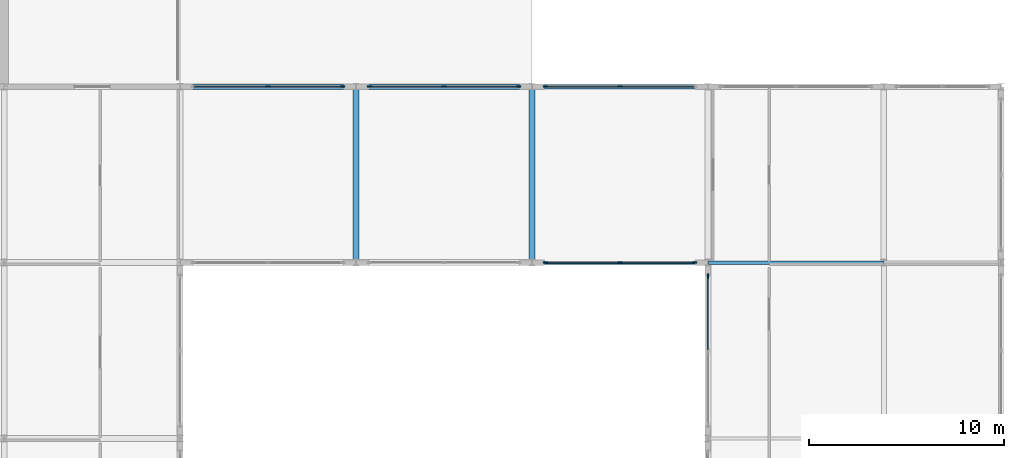
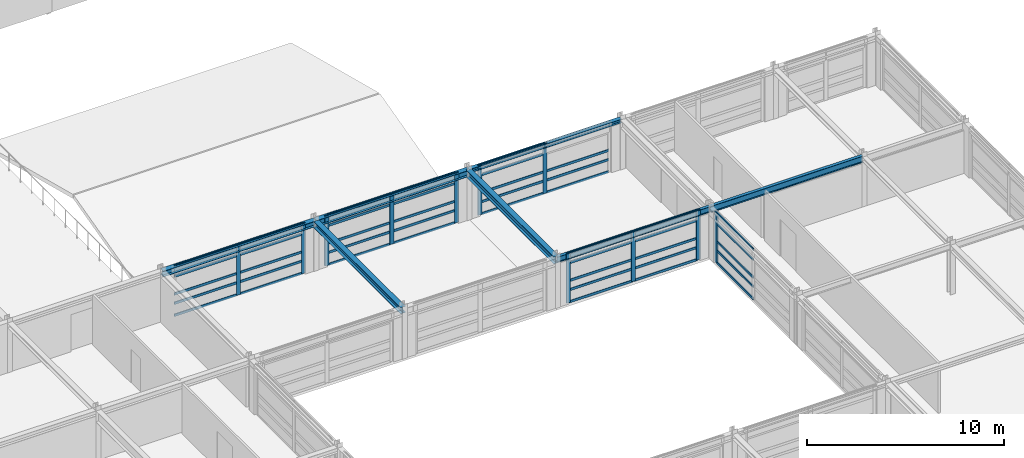
# One storey, part 53 of 91: 54 members, 7 beams, 5 elements without a shape of their own.
"""IFC4 building model written with IfcOpenShell, lengths in metres."""

from ifc_helpers import new_model, si_unit, direction, frame, origin, origin_2d, place, context, subcontext, project, spatial, rectangle, i_section, extrude, material, material_profile, profile_set, type_object, element, aggregate, save


model = new_model("IFC4")

# Units and contexts
model_context = context("Model", 3, precision=1e-05, world=origin(), true_north=direction((0.0, 1.0)))
body_context = subcontext(model_context, "Body", "Model", "MODEL_VIEW")
ifc_project = project(units=[si_unit("LENGTHUNIT", "METRE"), si_unit("AREAUNIT", "SQUARE_METRE"), si_unit("VOLUMEUNIT", "CUBIC_METRE"), si_unit("PLANEANGLEUNIT", "RADIAN"), si_unit("MASSUNIT", "GRAM", prefix="KILO")], contexts=[model_context])

# Site, building, storey
site_placement = place(None, origin())
site = spatial("IfcSite", under=ifc_project, at=site_placement, CompositionType="ELEMENT")
building_placement = place(site_placement, origin())
building = spatial("IfcBuilding", under=site, at=building_placement, Name="Palais des Congres Ocreval", CompositionType="ELEMENT")
storey_placement = place(building_placement, frame((0.0, 0.0, 8.159912109375)))
storey = spatial("IfcBuildingStorey", under=building, at=storey_placement, Name="L02", CompositionType="ELEMENT", Elevation=8.159912109375)

# Beams
ifc_material_1 = material(Name="Steel S355", Category="steel")
ifc_material_profile_1 = material_profile(ifc_material_1, i_section(OverallWidth=0.169921875, OverallDepth=0.360107421875, WebThickness=0.008056640625, FlangeThickness=0.0126953125, at=origin_2d()), Name="IPE 360")
ifc_profile_set_1 = profile_set([ifc_material_profile_1], Name="Steel S355")
beam_type_1 = type_object("IfcBeamType", Name="Composite Beam IPE 360 Steel S355", PredefinedType="BEAM", material=ifc_profile_set_1)
beam_1_placement = place(storey_placement, frame((144.02001953125, 36.0, 2.920166015625), z_axis=(1.0, 0.0, 0.0), x_axis=(0.0, 1.0, 0.0)))
element("IfcBeam", 1, at=beam_1_placement, inside=storey, type_object=beam_type_1, Name="Beam B01 L02", PredefinedType="BEAM", context=body_context, shape_type="SweptSolid", body=[
    extrude(i_section(OverallWidth=0.169921875, OverallDepth=0.360107421875, WebThickness=0.008056640625, FlangeThickness=0.0126953125, at=origin_2d()), origin(), (0.0, 0.0, 1.0), 8.9599609375),
])
ifc_material_profile_2 = material_profile(ifc_material_1, i_section(OverallWidth=0.179931640625, OverallDepth=0.39990234375, WebThickness=0.008544921875, FlangeThickness=0.013427734375, at=origin_2d()), Name="IPE 400")
ifc_profile_set_2 = profile_set([ifc_material_profile_2], Name="Steel S355")
beam_type_2 = type_object("IfcBeamType", Name="Composite Beam IPE 400 Steel S355", PredefinedType="BEAM", material=ifc_profile_set_2)
beam_2_placement = place(storey_placement, frame((153.02001953125, 36.0, 2.900146484375), z_axis=(1.0, 0.0, 0.0), x_axis=(0.0, 1.0, 0.0)))
element("IfcBeam", 2, at=beam_2_placement, inside=storey, type_object=beam_type_2, Name="Beam B02 L02", PredefinedType="BEAM", context=body_context, shape_type="SweptSolid", body=[
    extrude(i_section(OverallWidth=0.179931640625, OverallDepth=0.39990234375, WebThickness=0.008544921875, FlangeThickness=0.013427734375, at=origin_2d()), origin(), (0.0, 0.0, 1.0), 8.9599609375),
])

# Curtain wall, members
ifc_material_2 = material(Name="Anodized bronze aluminium and low-E glass", Category="glass")
curtain_wall_type = type_object("IfcCurtainWallType", Name="Unitised Curtain Wall 7900x3120", PredefinedType="USERDEFINED", material=ifc_material_2)
curtain_wall_1_placement = place(storey_placement, origin())
curtain_wall_1 = element("IfcCurtainWall", 3, at=curtain_wall_1_placement, inside=storey, type_object=curtain_wall_type, Name="Unitised Curtain Wall CW03 L02", ObjectType="UNITISED CURTAIN WALL", PredefinedType="USERDEFINED")
ifc_material_3 = material(Name="Anodized bronze aluminium", Category="aluminium")
ifc_material_profile_3 = material_profile(ifc_material_3, rectangle(XDim=0.074951171875, YDim=0.239990234375, at=origin_2d()), Name="ALU 75x240")
ifc_profile_set_3 = profile_set([ifc_material_profile_3], Name="Anodized bronze aluminium")
member_type_1 = type_object("IfcMemberType", Name="Curtain Wall Mullion ALU 75x240", PredefinedType="MULLION", material=ifc_profile_set_3)
member_1_placement = place(storey_placement, frame((130.5, 45.0, 0.0), z_axis=(0.0, 0.0, 1.0), x_axis=(0.0, 1.0, 0.0)))
member_1 = element("IfcMember", 4, at=member_1_placement, type_object=member_type_1, Name="Curtain Wall Mullion ML01", PredefinedType="MULLION", context=body_context, shape_type="SweptSolid", body=[
    extrude(rectangle(XDim=0.074951171875, YDim=0.239990234375, at=origin_2d()), origin(), (0.0, 0.0, 1.0), 3.110107421875),
])
member_2_placement = place(storey_placement, frame((134.3125, 45.0, 0.0), z_axis=(0.0, 0.0, 1.0), x_axis=(0.0, 1.0, 0.0)))
member_2 = element("IfcMember", 5, at=member_2_placement, type_object=member_type_1, Name="Curtain Wall Mullion ML01", PredefinedType="MULLION", context=body_context, shape_type="SweptSolid", body=[
    extrude(rectangle(XDim=0.074951171875, YDim=0.239990234375, at=origin_2d()), origin(), (0.0, 0.0, 1.0), 3.110107421875),
])

curtain_wall_2_placement = place(storey_placement, origin())
curtain_wall_2 = element("IfcCurtainWall", 6, at=curtain_wall_2_placement, inside=storey, type_object=curtain_wall_type, Name="Unitised Curtain Wall CW03 L02", ObjectType="UNITISED CURTAIN WALL", PredefinedType="USERDEFINED")
member_3_placement = place(storey_placement, frame((135.6875, 45.0, 0.0), z_axis=(0.0, 0.0, 1.0), x_axis=(0.0, 1.0, 0.0)))
member_3 = element("IfcMember", 7, at=member_3_placement, type_object=member_type_1, Name="Curtain Wall Mullion ML01", PredefinedType="MULLION", context=body_context, shape_type="SweptSolid", body=[
    extrude(rectangle(XDim=0.074951171875, YDim=0.239990234375, at=origin_2d()), origin(), (0.0, 0.0, 1.0), 3.110107421875),
])
member_4_placement = place(storey_placement, frame((139.5, 45.0, 0.0), z_axis=(0.0, 0.0, 1.0), x_axis=(0.0, 1.0, 0.0)))
member_4 = element("IfcMember", 8, at=member_4_placement, type_object=member_type_1, Name="Curtain Wall Mullion ML01", PredefinedType="MULLION", context=body_context, shape_type="SweptSolid", body=[
    extrude(rectangle(XDim=0.074951171875, YDim=0.239990234375, at=origin_2d()), origin(), (0.0, 0.0, 1.0), 3.110107421875),
])
member_5_placement = place(storey_placement, frame((143.3125, 45.0, 0.0), z_axis=(0.0, 0.0, 1.0), x_axis=(0.0, 1.0, 0.0)))
member_5 = element("IfcMember", 9, at=member_5_placement, type_object=member_type_1, Name="Curtain Wall Mullion ML01", PredefinedType="MULLION", context=body_context, shape_type="SweptSolid", body=[
    extrude(rectangle(XDim=0.074951171875, YDim=0.239990234375, at=origin_2d()), origin(), (0.0, 0.0, 1.0), 3.110107421875),
])

curtain_wall_3_placement = place(storey_placement, origin())
curtain_wall_3 = element("IfcCurtainWall", 10, at=curtain_wall_3_placement, inside=storey, type_object=curtain_wall_type, Name="Unitised Curtain Wall CW03 L02", ObjectType="UNITISED CURTAIN WALL", PredefinedType="USERDEFINED")
member_6_placement = place(storey_placement, frame((144.6875, 45.0, 0.0), z_axis=(0.0, 0.0, 1.0), x_axis=(0.0, 1.0, 0.0)))
member_6 = element("IfcMember", 11, at=member_6_placement, type_object=member_type_1, Name="Curtain Wall Mullion ML01", PredefinedType="MULLION", context=body_context, shape_type="SweptSolid", body=[
    extrude(rectangle(XDim=0.074951171875, YDim=0.239990234375, at=origin_2d()), origin(), (0.0, 0.0, 1.0), 3.110107421875),
])
member_7_placement = place(storey_placement, frame((148.5, 45.0, 0.0), z_axis=(0.0, 0.0, 1.0), x_axis=(0.0, 1.0, 0.0)))
member_7 = element("IfcMember", 12, at=member_7_placement, type_object=member_type_1, Name="Curtain Wall Mullion ML01", PredefinedType="MULLION", context=body_context, shape_type="SweptSolid", body=[
    extrude(rectangle(XDim=0.074951171875, YDim=0.239990234375, at=origin_2d()), origin(), (0.0, 0.0, 1.0), 3.110107421875),
])

curtain_wall_4_placement = place(storey_placement, origin())
curtain_wall_4 = element("IfcCurtainWall", 13, at=curtain_wall_4_placement, inside=storey, type_object=curtain_wall_type, Name="Unitised Curtain Wall CW03 L02", ObjectType="UNITISED CURTAIN WALL", PredefinedType="USERDEFINED")
member_8_placement = place(storey_placement, frame((152.3125, 36.0, 0.0), z_axis=(0.0, 0.0, 1.0), x_axis=(0.0, -1.0, 0.0)))
member_8 = element("IfcMember", 14, at=member_8_placement, type_object=member_type_1, Name="Curtain Wall Mullion ML01", PredefinedType="MULLION", context=body_context, shape_type="SweptSolid", body=[
    extrude(rectangle(XDim=0.074951171875, YDim=0.239990234375, at=origin_2d()), origin(), (0.0, 0.0, 1.0), 3.110107421875),
])
member_9_placement = place(storey_placement, frame((148.5, 36.0, 0.0), z_axis=(0.0, 0.0, 1.0), x_axis=(0.0, -1.0, 0.0)))
member_9 = element("IfcMember", 15, at=member_9_placement, type_object=member_type_1, Name="Curtain Wall Mullion ML01", PredefinedType="MULLION", context=body_context, shape_type="SweptSolid", body=[
    extrude(rectangle(XDim=0.074951171875, YDim=0.239990234375, at=origin_2d()), origin(), (0.0, 0.0, 1.0), 3.110107421875),
])
member_10_placement = place(storey_placement, frame((144.6875, 36.0, 0.0), z_axis=(0.0, 0.0, 1.0), x_axis=(0.0, -1.0, 0.0)))
member_10 = element("IfcMember", 16, at=member_10_placement, type_object=member_type_1, Name="Curtain Wall Mullion ML01", PredefinedType="MULLION", context=body_context, shape_type="SweptSolid", body=[
    extrude(rectangle(XDim=0.074951171875, YDim=0.239990234375, at=origin_2d()), origin(), (0.0, 0.0, 1.0), 3.110107421875),
])

# Curtain wall, member
curtain_wall_5_placement = place(storey_placement, origin())
curtain_wall_5 = element("IfcCurtainWall", 17, at=curtain_wall_5_placement, inside=storey, type_object=curtain_wall_type, Name="Unitised Curtain Wall CW03 L02", ObjectType="UNITISED CURTAIN WALL", PredefinedType="USERDEFINED")
member_11_placement = place(storey_placement, frame((153.0, 35.3125, 0.0), z_axis=(0.0, 0.0, 1.0), x_axis=(-1.0, 0.0, 0.0)))
member_11 = element("IfcMember", 18, at=member_11_placement, type_object=member_type_1, Name="Curtain Wall Mullion ML01", PredefinedType="MULLION", context=body_context, shape_type="SweptSolid", body=[
    extrude(rectangle(XDim=0.074951171875, YDim=0.239990234375, at=origin_2d()), origin(), (0.0, 0.0, 1.0), 3.110107421875),
])

# Member
ifc_material_profile_4 = material_profile(ifc_material_3, rectangle(XDim=0.06005859375, YDim=0.14990234375, at=origin_2d()), Name="ALU 60x150")
ifc_profile_set_4 = profile_set([ifc_material_profile_4], Name="Anodized bronze aluminium")
member_type_2 = type_object("IfcMemberType", Name="Curtain Wall Transom ALU 60x150", PredefinedType="USERDEFINED", material=ifc_profile_set_4)
member_12_placement = place(storey_placement, frame((126.72509765625, 45.0, 0.030029296875), z_axis=(1.0, 0.0, 0.0), x_axis=(0.0, 1.0, 0.0)))
member_12 = element("IfcMember", 19, at=member_12_placement, type_object=member_type_2, Name="Curtain Wall Transom TR01", ObjectType="TRANSOM", PredefinedType="USERDEFINED", context=body_context, shape_type="SweptSolid", body=[
    extrude(rectangle(XDim=0.06005859375, YDim=0.14990234375, at=origin_2d()), origin(), (0.0, 0.0, 1.0), 3.7373046875),
])

member_13_placement = place(storey_placement, frame((126.72509765625, 45.0, 0.780029296875), z_axis=(1.0, 0.0, 0.0), x_axis=(0.0, 1.0, 0.0)))
member_13 = element("IfcMember", 20, at=member_13_placement, type_object=member_type_2, Name="Curtain Wall Transom TR01", ObjectType="TRANSOM", PredefinedType="USERDEFINED", context=body_context, shape_type="SweptSolid", body=[
    extrude(rectangle(XDim=0.06005859375, YDim=0.14990234375, at=origin_2d()), origin(), (0.0, 0.0, 1.0), 3.7373046875),
])

member_14_placement = place(storey_placement, frame((126.72509765625, 45.0, 1.35302734375), z_axis=(1.0, 0.0, 0.0), x_axis=(0.0, 1.0, 0.0)))
member_14 = element("IfcMember", 21, at=member_14_placement, type_object=member_type_2, Name="Curtain Wall Transom TR01", ObjectType="TRANSOM", PredefinedType="USERDEFINED", context=body_context, shape_type="SweptSolid", body=[
    extrude(rectangle(XDim=0.06005859375, YDim=0.14990234375, at=origin_2d()), origin(), (0.0, 0.0, 1.0), 3.7373046875),
])

member_15_placement = place(storey_placement, frame((126.72509765625, 45.0, 2.460205078125), z_axis=(1.0, 0.0, 0.0), x_axis=(0.0, 1.0, 0.0)))
member_15 = element("IfcMember", 22, at=member_15_placement, type_object=member_type_2, Name="Curtain Wall Transom TR01", ObjectType="TRANSOM", PredefinedType="USERDEFINED", context=body_context, shape_type="SweptSolid", body=[
    extrude(rectangle(XDim=0.06005859375, YDim=0.14990234375, at=origin_2d()), origin(), (0.0, 0.0, 1.0), 3.7373046875),
])

member_16_placement = place(storey_placement, frame((126.72509765625, 45.0, 3.080078125), z_axis=(1.0, 0.0, 0.0), x_axis=(0.0, 1.0, 0.0)))
member_16 = element("IfcMember", 23, at=member_16_placement, type_object=member_type_2, Name="Curtain Wall Transom TR01", ObjectType="TRANSOM", PredefinedType="USERDEFINED", context=body_context, shape_type="SweptSolid", body=[
    extrude(rectangle(XDim=0.06005859375, YDim=0.14990234375, at=origin_2d()), origin(), (0.0, 0.0, 1.0), 3.7373046875),
])

member_17_placement = place(storey_placement, frame((130.53759765625, 45.0, 0.030029296875), z_axis=(1.0, 0.0, 0.0), x_axis=(0.0, 1.0, 0.0)))
member_17 = element("IfcMember", 24, at=member_17_placement, type_object=member_type_2, Name="Curtain Wall Transom TR01", ObjectType="TRANSOM", PredefinedType="USERDEFINED", context=body_context, shape_type="SweptSolid", body=[
    extrude(rectangle(XDim=0.06005859375, YDim=0.14990234375, at=origin_2d()), origin(), (0.0, 0.0, 1.0), 3.7373046875),
])

member_18_placement = place(storey_placement, frame((130.53759765625, 45.0, 0.780029296875), z_axis=(1.0, 0.0, 0.0), x_axis=(0.0, 1.0, 0.0)))
member_18 = element("IfcMember", 25, at=member_18_placement, type_object=member_type_2, Name="Curtain Wall Transom TR01", ObjectType="TRANSOM", PredefinedType="USERDEFINED", context=body_context, shape_type="SweptSolid", body=[
    extrude(rectangle(XDim=0.06005859375, YDim=0.14990234375, at=origin_2d()), origin(), (0.0, 0.0, 1.0), 3.7373046875),
])

member_19_placement = place(storey_placement, frame((130.53759765625, 45.0, 1.35302734375), z_axis=(1.0, 0.0, 0.0), x_axis=(0.0, 1.0, 0.0)))
member_19 = element("IfcMember", 26, at=member_19_placement, type_object=member_type_2, Name="Curtain Wall Transom TR01", ObjectType="TRANSOM", PredefinedType="USERDEFINED", context=body_context, shape_type="SweptSolid", body=[
    extrude(rectangle(XDim=0.06005859375, YDim=0.14990234375, at=origin_2d()), origin(), (0.0, 0.0, 1.0), 3.7373046875),
])

member_20_placement = place(storey_placement, frame((130.53759765625, 45.0, 2.460205078125), z_axis=(1.0, 0.0, 0.0), x_axis=(0.0, 1.0, 0.0)))
member_20 = element("IfcMember", 27, at=member_20_placement, type_object=member_type_2, Name="Curtain Wall Transom TR01", ObjectType="TRANSOM", PredefinedType="USERDEFINED", context=body_context, shape_type="SweptSolid", body=[
    extrude(rectangle(XDim=0.06005859375, YDim=0.14990234375, at=origin_2d()), origin(), (0.0, 0.0, 1.0), 3.7373046875),
])

member_21_placement = place(storey_placement, frame((130.53759765625, 45.0, 3.080078125), z_axis=(1.0, 0.0, 0.0), x_axis=(0.0, 1.0, 0.0)))
member_21 = element("IfcMember", 28, at=member_21_placement, type_object=member_type_2, Name="Curtain Wall Transom TR01", ObjectType="TRANSOM", PredefinedType="USERDEFINED", context=body_context, shape_type="SweptSolid", body=[
    extrude(rectangle(XDim=0.06005859375, YDim=0.14990234375, at=origin_2d()), origin(), (0.0, 0.0, 1.0), 3.7373046875),
])

aggregate(curtain_wall_1, [member_1, member_2, member_12, member_13, member_14, member_15, member_16, member_17, member_18, member_19, member_20, member_21])

member_22_placement = place(storey_placement, frame((135.72509765625, 45.0, 0.030029296875), z_axis=(1.0, 0.0, 0.0), x_axis=(0.0, 1.0, 0.0)))
member_22 = element("IfcMember", 29, at=member_22_placement, type_object=member_type_2, Name="Curtain Wall Transom TR01", ObjectType="TRANSOM", PredefinedType="USERDEFINED", context=body_context, shape_type="SweptSolid", body=[
    extrude(rectangle(XDim=0.06005859375, YDim=0.14990234375, at=origin_2d()), origin(), (0.0, 0.0, 1.0), 3.7373046875),
])

member_23_placement = place(storey_placement, frame((135.72509765625, 45.0, 0.780029296875), z_axis=(1.0, 0.0, 0.0), x_axis=(0.0, 1.0, 0.0)))
member_23 = element("IfcMember", 30, at=member_23_placement, type_object=member_type_2, Name="Curtain Wall Transom TR01", ObjectType="TRANSOM", PredefinedType="USERDEFINED", context=body_context, shape_type="SweptSolid", body=[
    extrude(rectangle(XDim=0.06005859375, YDim=0.14990234375, at=origin_2d()), origin(), (0.0, 0.0, 1.0), 3.7373046875),
])

member_24_placement = place(storey_placement, frame((135.72509765625, 45.0, 1.35302734375), z_axis=(1.0, 0.0, 0.0), x_axis=(0.0, 1.0, 0.0)))
member_24 = element("IfcMember", 31, at=member_24_placement, type_object=member_type_2, Name="Curtain Wall Transom TR01", ObjectType="TRANSOM", PredefinedType="USERDEFINED", context=body_context, shape_type="SweptSolid", body=[
    extrude(rectangle(XDim=0.06005859375, YDim=0.14990234375, at=origin_2d()), origin(), (0.0, 0.0, 1.0), 3.7373046875),
])

member_25_placement = place(storey_placement, frame((135.72509765625, 45.0, 2.460205078125), z_axis=(1.0, 0.0, 0.0), x_axis=(0.0, 1.0, 0.0)))
member_25 = element("IfcMember", 32, at=member_25_placement, type_object=member_type_2, Name="Curtain Wall Transom TR01", ObjectType="TRANSOM", PredefinedType="USERDEFINED", context=body_context, shape_type="SweptSolid", body=[
    extrude(rectangle(XDim=0.06005859375, YDim=0.14990234375, at=origin_2d()), origin(), (0.0, 0.0, 1.0), 3.7373046875),
])

member_26_placement = place(storey_placement, frame((135.72509765625, 45.0, 3.080078125), z_axis=(1.0, 0.0, 0.0), x_axis=(0.0, 1.0, 0.0)))
member_26 = element("IfcMember", 33, at=member_26_placement, type_object=member_type_2, Name="Curtain Wall Transom TR01", ObjectType="TRANSOM", PredefinedType="USERDEFINED", context=body_context, shape_type="SweptSolid", body=[
    extrude(rectangle(XDim=0.06005859375, YDim=0.14990234375, at=origin_2d()), origin(), (0.0, 0.0, 1.0), 3.7373046875),
])

member_27_placement = place(storey_placement, frame((139.53759765625, 45.0, 0.030029296875), z_axis=(1.0, 0.0, 0.0), x_axis=(0.0, 1.0, 0.0)))
member_27 = element("IfcMember", 34, at=member_27_placement, type_object=member_type_2, Name="Curtain Wall Transom TR01", ObjectType="TRANSOM", PredefinedType="USERDEFINED", context=body_context, shape_type="SweptSolid", body=[
    extrude(rectangle(XDim=0.06005859375, YDim=0.14990234375, at=origin_2d()), origin(), (0.0, 0.0, 1.0), 3.7373046875),
])

member_28_placement = place(storey_placement, frame((139.53759765625, 45.0, 0.780029296875), z_axis=(1.0, 0.0, 0.0), x_axis=(0.0, 1.0, 0.0)))
member_28 = element("IfcMember", 35, at=member_28_placement, type_object=member_type_2, Name="Curtain Wall Transom TR01", ObjectType="TRANSOM", PredefinedType="USERDEFINED", context=body_context, shape_type="SweptSolid", body=[
    extrude(rectangle(XDim=0.06005859375, YDim=0.14990234375, at=origin_2d()), origin(), (0.0, 0.0, 1.0), 3.7373046875),
])

member_29_placement = place(storey_placement, frame((139.53759765625, 45.0, 1.35302734375), z_axis=(1.0, 0.0, 0.0), x_axis=(0.0, 1.0, 0.0)))
member_29 = element("IfcMember", 36, at=member_29_placement, type_object=member_type_2, Name="Curtain Wall Transom TR01", ObjectType="TRANSOM", PredefinedType="USERDEFINED", context=body_context, shape_type="SweptSolid", body=[
    extrude(rectangle(XDim=0.06005859375, YDim=0.14990234375, at=origin_2d()), origin(), (0.0, 0.0, 1.0), 3.7373046875),
])

member_30_placement = place(storey_placement, frame((139.53759765625, 45.0, 2.460205078125), z_axis=(1.0, 0.0, 0.0), x_axis=(0.0, 1.0, 0.0)))
member_30 = element("IfcMember", 37, at=member_30_placement, type_object=member_type_2, Name="Curtain Wall Transom TR01", ObjectType="TRANSOM", PredefinedType="USERDEFINED", context=body_context, shape_type="SweptSolid", body=[
    extrude(rectangle(XDim=0.06005859375, YDim=0.14990234375, at=origin_2d()), origin(), (0.0, 0.0, 1.0), 3.7373046875),
])

member_31_placement = place(storey_placement, frame((139.53759765625, 45.0, 3.080078125), z_axis=(1.0, 0.0, 0.0), x_axis=(0.0, 1.0, 0.0)))
member_31 = element("IfcMember", 38, at=member_31_placement, type_object=member_type_2, Name="Curtain Wall Transom TR01", ObjectType="TRANSOM", PredefinedType="USERDEFINED", context=body_context, shape_type="SweptSolid", body=[
    extrude(rectangle(XDim=0.06005859375, YDim=0.14990234375, at=origin_2d()), origin(), (0.0, 0.0, 1.0), 3.7373046875),
])

aggregate(curtain_wall_2, [member_3, member_4, member_5, member_22, member_23, member_24, member_25, member_26, member_27, member_28, member_29, member_30, member_31])

member_32_placement = place(storey_placement, frame((144.72509765625, 45.0, 0.030029296875), z_axis=(1.0, 0.0, 0.0), x_axis=(0.0, 1.0, 0.0)))
member_32 = element("IfcMember", 39, at=member_32_placement, type_object=member_type_2, Name="Curtain Wall Transom TR01", ObjectType="TRANSOM", PredefinedType="USERDEFINED", context=body_context, shape_type="SweptSolid", body=[
    extrude(rectangle(XDim=0.06005859375, YDim=0.14990234375, at=origin_2d()), origin(), (0.0, 0.0, 1.0), 3.7373046875),
])

member_33_placement = place(storey_placement, frame((144.72509765625, 45.0, 0.780029296875), z_axis=(1.0, 0.0, 0.0), x_axis=(0.0, 1.0, 0.0)))
member_33 = element("IfcMember", 40, at=member_33_placement, type_object=member_type_2, Name="Curtain Wall Transom TR01", ObjectType="TRANSOM", PredefinedType="USERDEFINED", context=body_context, shape_type="SweptSolid", body=[
    extrude(rectangle(XDim=0.06005859375, YDim=0.14990234375, at=origin_2d()), origin(), (0.0, 0.0, 1.0), 3.7373046875),
])

member_34_placement = place(storey_placement, frame((144.72509765625, 45.0, 1.35302734375), z_axis=(1.0, 0.0, 0.0), x_axis=(0.0, 1.0, 0.0)))
member_34 = element("IfcMember", 41, at=member_34_placement, type_object=member_type_2, Name="Curtain Wall Transom TR01", ObjectType="TRANSOM", PredefinedType="USERDEFINED", context=body_context, shape_type="SweptSolid", body=[
    extrude(rectangle(XDim=0.06005859375, YDim=0.14990234375, at=origin_2d()), origin(), (0.0, 0.0, 1.0), 3.7373046875),
])

member_35_placement = place(storey_placement, frame((144.72509765625, 45.0, 2.460205078125), z_axis=(1.0, 0.0, 0.0), x_axis=(0.0, 1.0, 0.0)))
member_35 = element("IfcMember", 42, at=member_35_placement, type_object=member_type_2, Name="Curtain Wall Transom TR01", ObjectType="TRANSOM", PredefinedType="USERDEFINED", context=body_context, shape_type="SweptSolid", body=[
    extrude(rectangle(XDim=0.06005859375, YDim=0.14990234375, at=origin_2d()), origin(), (0.0, 0.0, 1.0), 3.7373046875),
])

member_36_placement = place(storey_placement, frame((144.72509765625, 45.0, 3.080078125), z_axis=(1.0, 0.0, 0.0), x_axis=(0.0, 1.0, 0.0)))
member_36 = element("IfcMember", 43, at=member_36_placement, type_object=member_type_2, Name="Curtain Wall Transom TR01", ObjectType="TRANSOM", PredefinedType="USERDEFINED", context=body_context, shape_type="SweptSolid", body=[
    extrude(rectangle(XDim=0.06005859375, YDim=0.14990234375, at=origin_2d()), origin(), (0.0, 0.0, 1.0), 3.7373046875),
])

member_37_placement = place(storey_placement, frame((148.53759765625, 45.0, 0.030029296875), z_axis=(1.0, 0.0, 0.0), x_axis=(0.0, 1.0, 0.0)))
member_37 = element("IfcMember", 44, at=member_37_placement, type_object=member_type_2, Name="Curtain Wall Transom TR01", ObjectType="TRANSOM", PredefinedType="USERDEFINED", context=body_context, shape_type="SweptSolid", body=[
    extrude(rectangle(XDim=0.06005859375, YDim=0.14990234375, at=origin_2d()), origin(), (0.0, 0.0, 1.0), 3.7373046875),
])

member_38_placement = place(storey_placement, frame((148.53759765625, 45.0, 0.780029296875), z_axis=(1.0, 0.0, 0.0), x_axis=(0.0, 1.0, 0.0)))
member_38 = element("IfcMember", 45, at=member_38_placement, type_object=member_type_2, Name="Curtain Wall Transom TR01", ObjectType="TRANSOM", PredefinedType="USERDEFINED", context=body_context, shape_type="SweptSolid", body=[
    extrude(rectangle(XDim=0.06005859375, YDim=0.14990234375, at=origin_2d()), origin(), (0.0, 0.0, 1.0), 3.7373046875),
])

member_39_placement = place(storey_placement, frame((148.53759765625, 45.0, 1.35302734375), z_axis=(1.0, 0.0, 0.0), x_axis=(0.0, 1.0, 0.0)))
member_39 = element("IfcMember", 46, at=member_39_placement, type_object=member_type_2, Name="Curtain Wall Transom TR01", ObjectType="TRANSOM", PredefinedType="USERDEFINED", context=body_context, shape_type="SweptSolid", body=[
    extrude(rectangle(XDim=0.06005859375, YDim=0.14990234375, at=origin_2d()), origin(), (0.0, 0.0, 1.0), 3.7373046875),
])

aggregate(curtain_wall_3, [member_6, member_7, member_32, member_33, member_34, member_35, member_36, member_37, member_38, member_39])

member_40_placement = place(storey_placement, frame((152.27490234375, 36.0, 0.030029296875), z_axis=(-1.0, 0.0, 0.0), x_axis=(0.0, -1.0, 0.0)))
member_40 = element("IfcMember", 47, at=member_40_placement, type_object=member_type_2, Name="Curtain Wall Transom TR01", ObjectType="TRANSOM", PredefinedType="USERDEFINED", context=body_context, shape_type="SweptSolid", body=[
    extrude(rectangle(XDim=0.06005859375, YDim=0.14990234375, at=origin_2d()), origin(), (0.0, 0.0, 1.0), 3.7373046875),
])

member_41_placement = place(storey_placement, frame((152.27490234375, 36.0, 0.780029296875), z_axis=(-1.0, 0.0, 0.0), x_axis=(0.0, -1.0, 0.0)))
member_41 = element("IfcMember", 48, at=member_41_placement, type_object=member_type_2, Name="Curtain Wall Transom TR01", ObjectType="TRANSOM", PredefinedType="USERDEFINED", context=body_context, shape_type="SweptSolid", body=[
    extrude(rectangle(XDim=0.06005859375, YDim=0.14990234375, at=origin_2d()), origin(), (0.0, 0.0, 1.0), 3.7373046875),
])

member_42_placement = place(storey_placement, frame((152.27490234375, 36.0, 1.35302734375), z_axis=(-1.0, 0.0, 0.0), x_axis=(0.0, -1.0, 0.0)))
member_42 = element("IfcMember", 49, at=member_42_placement, type_object=member_type_2, Name="Curtain Wall Transom TR01", ObjectType="TRANSOM", PredefinedType="USERDEFINED", context=body_context, shape_type="SweptSolid", body=[
    extrude(rectangle(XDim=0.06005859375, YDim=0.14990234375, at=origin_2d()), origin(), (0.0, 0.0, 1.0), 3.7373046875),
])

member_43_placement = place(storey_placement, frame((152.27490234375, 36.0, 2.460205078125), z_axis=(-1.0, 0.0, 0.0), x_axis=(0.0, -1.0, 0.0)))
member_43 = element("IfcMember", 50, at=member_43_placement, type_object=member_type_2, Name="Curtain Wall Transom TR01", ObjectType="TRANSOM", PredefinedType="USERDEFINED", context=body_context, shape_type="SweptSolid", body=[
    extrude(rectangle(XDim=0.06005859375, YDim=0.14990234375, at=origin_2d()), origin(), (0.0, 0.0, 1.0), 3.7373046875),
])

member_44_placement = place(storey_placement, frame((152.27490234375, 36.0, 3.080078125), z_axis=(-1.0, 0.0, 0.0), x_axis=(0.0, -1.0, 0.0)))
member_44 = element("IfcMember", 51, at=member_44_placement, type_object=member_type_2, Name="Curtain Wall Transom TR01", ObjectType="TRANSOM", PredefinedType="USERDEFINED", context=body_context, shape_type="SweptSolid", body=[
    extrude(rectangle(XDim=0.06005859375, YDim=0.14990234375, at=origin_2d()), origin(), (0.0, 0.0, 1.0), 3.7373046875),
])

member_45_placement = place(storey_placement, frame((148.46240234375, 36.0, 0.030029296875), z_axis=(-1.0, 0.0, 0.0), x_axis=(0.0, -1.0, 0.0)))
member_45 = element("IfcMember", 52, at=member_45_placement, type_object=member_type_2, Name="Curtain Wall Transom TR01", ObjectType="TRANSOM", PredefinedType="USERDEFINED", context=body_context, shape_type="SweptSolid", body=[
    extrude(rectangle(XDim=0.06005859375, YDim=0.14990234375, at=origin_2d()), origin(), (0.0, 0.0, 1.0), 3.7373046875),
])

member_46_placement = place(storey_placement, frame((148.46240234375, 36.0, 0.780029296875), z_axis=(-1.0, 0.0, 0.0), x_axis=(0.0, -1.0, 0.0)))
member_46 = element("IfcMember", 53, at=member_46_placement, type_object=member_type_2, Name="Curtain Wall Transom TR01", ObjectType="TRANSOM", PredefinedType="USERDEFINED", context=body_context, shape_type="SweptSolid", body=[
    extrude(rectangle(XDim=0.06005859375, YDim=0.14990234375, at=origin_2d()), origin(), (0.0, 0.0, 1.0), 3.7373046875),
])

member_47_placement = place(storey_placement, frame((148.46240234375, 36.0, 1.35302734375), z_axis=(-1.0, 0.0, 0.0), x_axis=(0.0, -1.0, 0.0)))
member_47 = element("IfcMember", 54, at=member_47_placement, type_object=member_type_2, Name="Curtain Wall Transom TR01", ObjectType="TRANSOM", PredefinedType="USERDEFINED", context=body_context, shape_type="SweptSolid", body=[
    extrude(rectangle(XDim=0.06005859375, YDim=0.14990234375, at=origin_2d()), origin(), (0.0, 0.0, 1.0), 3.7373046875),
])

member_48_placement = place(storey_placement, frame((148.46240234375, 36.0, 2.460205078125), z_axis=(-1.0, 0.0, 0.0), x_axis=(0.0, -1.0, 0.0)))
member_48 = element("IfcMember", 55, at=member_48_placement, type_object=member_type_2, Name="Curtain Wall Transom TR01", ObjectType="TRANSOM", PredefinedType="USERDEFINED", context=body_context, shape_type="SweptSolid", body=[
    extrude(rectangle(XDim=0.06005859375, YDim=0.14990234375, at=origin_2d()), origin(), (0.0, 0.0, 1.0), 3.7373046875),
])

member_49_placement = place(storey_placement, frame((148.46240234375, 36.0, 3.080078125), z_axis=(-1.0, 0.0, 0.0), x_axis=(0.0, -1.0, 0.0)))
member_49 = element("IfcMember", 56, at=member_49_placement, type_object=member_type_2, Name="Curtain Wall Transom TR01", ObjectType="TRANSOM", PredefinedType="USERDEFINED", context=body_context, shape_type="SweptSolid", body=[
    extrude(rectangle(XDim=0.06005859375, YDim=0.14990234375, at=origin_2d()), origin(), (0.0, 0.0, 1.0), 3.7373046875),
])

aggregate(curtain_wall_4, [member_8, member_9, member_10, member_40, member_41, member_42, member_43, member_44, member_45, member_46, member_47, member_48, member_49])

member_50_placement = place(storey_placement, frame((153.0, 31.53759765625, 0.030029296875), z_axis=(0.0, 1.0, 0.0), x_axis=(-1.0, 0.0, 0.0)))
member_50 = element("IfcMember", 57, at=member_50_placement, type_object=member_type_2, Name="Curtain Wall Transom TR01", ObjectType="TRANSOM", PredefinedType="USERDEFINED", context=body_context, shape_type="SweptSolid", body=[
    extrude(rectangle(XDim=0.06005859375, YDim=0.14990234375, at=origin_2d()), origin(), (0.0, 0.0, 1.0), 3.7373046875),
])

member_51_placement = place(storey_placement, frame((153.0, 31.53759765625, 0.780029296875), z_axis=(0.0, 1.0, 0.0), x_axis=(-1.0, 0.0, 0.0)))
member_51 = element("IfcMember", 58, at=member_51_placement, type_object=member_type_2, Name="Curtain Wall Transom TR01", ObjectType="TRANSOM", PredefinedType="USERDEFINED", context=body_context, shape_type="SweptSolid", body=[
    extrude(rectangle(XDim=0.06005859375, YDim=0.14990234375, at=origin_2d()), origin(), (0.0, 0.0, 1.0), 3.7373046875),
])

member_52_placement = place(storey_placement, frame((153.0, 31.53759765625, 1.35302734375), z_axis=(0.0, 1.0, 0.0), x_axis=(-1.0, 0.0, 0.0)))
member_52 = element("IfcMember", 59, at=member_52_placement, type_object=member_type_2, Name="Curtain Wall Transom TR01", ObjectType="TRANSOM", PredefinedType="USERDEFINED", context=body_context, shape_type="SweptSolid", body=[
    extrude(rectangle(XDim=0.06005859375, YDim=0.14990234375, at=origin_2d()), origin(), (0.0, 0.0, 1.0), 3.7373046875),
])

member_53_placement = place(storey_placement, frame((153.0, 31.53759765625, 2.460205078125), z_axis=(0.0, 1.0, 0.0), x_axis=(-1.0, 0.0, 0.0)))
member_53 = element("IfcMember", 60, at=member_53_placement, type_object=member_type_2, Name="Curtain Wall Transom TR01", ObjectType="TRANSOM", PredefinedType="USERDEFINED", context=body_context, shape_type="SweptSolid", body=[
    extrude(rectangle(XDim=0.06005859375, YDim=0.14990234375, at=origin_2d()), origin(), (0.0, 0.0, 1.0), 3.7373046875),
])

member_54_placement = place(storey_placement, frame((153.0, 31.53759765625, 3.080078125), z_axis=(0.0, 1.0, 0.0), x_axis=(-1.0, 0.0, 0.0)))
member_54 = element("IfcMember", 61, at=member_54_placement, type_object=member_type_2, Name="Curtain Wall Transom TR01", ObjectType="TRANSOM", PredefinedType="USERDEFINED", context=body_context, shape_type="SweptSolid", body=[
    extrude(rectangle(XDim=0.06005859375, YDim=0.14990234375, at=origin_2d()), origin(), (0.0, 0.0, 1.0), 3.7373046875),
])

aggregate(curtain_wall_5, [member_11, member_50, member_51, member_52, member_53, member_54])

# Beams
ifc_material_profile_5 = material_profile(ifc_material_1, i_section(OverallWidth=0.239990234375, OverallDepth=0.22998046875, WebThickness=0.007568359375, FlangeThickness=0.011962890625, at=origin_2d()), Name="HEA 240")
ifc_profile_set_5 = profile_set([ifc_material_profile_5], Name="Steel S355")
beam_type_3 = type_object("IfcBeamType", Name="Perimeter Spandrel HEA 240 Steel S355", PredefinedType="SPANDREL", material=ifc_profile_set_5)
beam_3_placement = place(storey_placement, frame((144.02001953125, 45.0, 2.985107421875), z_axis=(1.0, 0.0, 0.0), x_axis=(0.0, 1.0, 0.0)))
element("IfcBeam", 62, at=beam_3_placement, inside=storey, type_object=beam_type_3, Name="Beam SP01 L02", PredefinedType="SPANDREL", context=body_context, shape_type="SweptSolid", body=[
    extrude(i_section(OverallWidth=0.239990234375, OverallDepth=0.22998046875, WebThickness=0.007568359375, FlangeThickness=0.011962890625, at=origin_2d()), origin(), (0.0, 0.0, 1.0), 8.9599609375),
])
ifc_material_profile_6 = material_profile(ifc_material_1, i_section(OverallWidth=0.300048828125, OverallDepth=0.360107421875, WebThickness=0.012451171875, FlangeThickness=0.0224609375, at=origin_2d()), Name="HEB 360")
ifc_profile_set_6 = profile_set([ifc_material_profile_6], Name="Steel S355")
beam_type_4 = type_object("IfcBeamType", Name="Perimeter Spandrel HEB 360 Steel S355", PredefinedType="SPANDREL", material=ifc_profile_set_6)
beam_4_placement = place(storey_placement, frame((126.02001953125, 45.0, 2.920166015625), z_axis=(1.0, 0.0, 0.0), x_axis=(0.0, 1.0, 0.0)))
element("IfcBeam", 63, at=beam_4_placement, inside=storey, type_object=beam_type_4, Name="Beam SP03 L02", PredefinedType="SPANDREL", context=body_context, shape_type="SweptSolid", body=[
    extrude(i_section(OverallWidth=0.300048828125, OverallDepth=0.360107421875, WebThickness=0.012451171875, FlangeThickness=0.0224609375, at=origin_2d()), origin(), (0.0, 0.0, 1.0), 8.9599609375),
])
ifc_material_profile_7 = material_profile(ifc_material_1, i_section(OverallWidth=0.300048828125, OverallDepth=0.39990234375, WebThickness=0.013427734375, FlangeThickness=0.02392578125, at=origin_2d()), Name="HEB 400")
ifc_profile_set_7 = profile_set([ifc_material_profile_7], Name="Steel S355")
beam_type_5 = type_object("IfcBeamType", Name="Perimeter Spandrel HEB 400 Steel S355", PredefinedType="SPANDREL", material=ifc_profile_set_7)
beam_5_placement = place(storey_placement, frame((135.02001953125, 45.0, 2.900146484375), z_axis=(1.0, 0.0, 0.0), x_axis=(0.0, 1.0, 0.0)))
element("IfcBeam", 64, at=beam_5_placement, inside=storey, type_object=beam_type_5, Name="Beam SP04 L02", PredefinedType="SPANDREL", context=body_context, shape_type="SweptSolid", body=[
    extrude(i_section(OverallWidth=0.300048828125, OverallDepth=0.39990234375, WebThickness=0.013427734375, FlangeThickness=0.02392578125, at=origin_2d()), origin(), (0.0, 0.0, 1.0), 8.9599609375),
])
ifc_material_profile_8 = material_profile(ifc_material_1, i_section(OverallWidth=0.300048828125, OverallDepth=0.389892578125, WebThickness=0.010986328125, FlangeThickness=0.01904296875, at=origin_2d()), Name="HEA 400")
ifc_profile_set_8 = profile_set([ifc_material_profile_8], Name="Steel S355")
beam_type_6 = type_object("IfcBeamType", Name="Primary Beam HEA 400 Steel S355", PredefinedType="BEAM", material=ifc_profile_set_8)
beam_6_placement = place(storey_placement, frame((135.0, 36.02001953125, 2.905029296875), z_axis=(0.0, 1.0, 0.0), x_axis=(-1.0, 0.0, 0.0)))
element("IfcBeam", 65, at=beam_6_placement, inside=storey, type_object=beam_type_6, Name="Girder B10 L02", PredefinedType="BEAM", context=body_context, shape_type="SweptSolid", body=[
    extrude(i_section(OverallWidth=0.300048828125, OverallDepth=0.389892578125, WebThickness=0.010986328125, FlangeThickness=0.01904296875, at=origin_2d()), origin(), (0.0, 0.0, 1.0), 8.9599609375),
])
ifc_material_profile_9 = material_profile(ifc_material_1, i_section(OverallWidth=0.300048828125, OverallDepth=0.43994140625, WebThickness=0.011474609375, FlangeThickness=0.02099609375, at=origin_2d()), Name="HEA 450")
ifc_profile_set_9 = profile_set([ifc_material_profile_9], Name="Steel S355")
beam_type_7 = type_object("IfcBeamType", Name="Primary Beam HEA 450 Steel S355", PredefinedType="BEAM", material=ifc_profile_set_9)
beam_7_placement = place(storey_placement, frame((144.0, 36.02001953125, 2.880126953125), z_axis=(0.0, 1.0, 0.0), x_axis=(-1.0, 0.0, 0.0)))
element("IfcBeam", 66, at=beam_7_placement, inside=storey, type_object=beam_type_7, Name="Girder B11 L02", PredefinedType="BEAM", context=body_context, shape_type="SweptSolid", body=[
    extrude(i_section(OverallWidth=0.300048828125, OverallDepth=0.43994140625, WebThickness=0.011474609375, FlangeThickness=0.02099609375, at=origin_2d()), origin(), (0.0, 0.0, 1.0), 8.9599609375),
])

save(model, "model.ifc")
